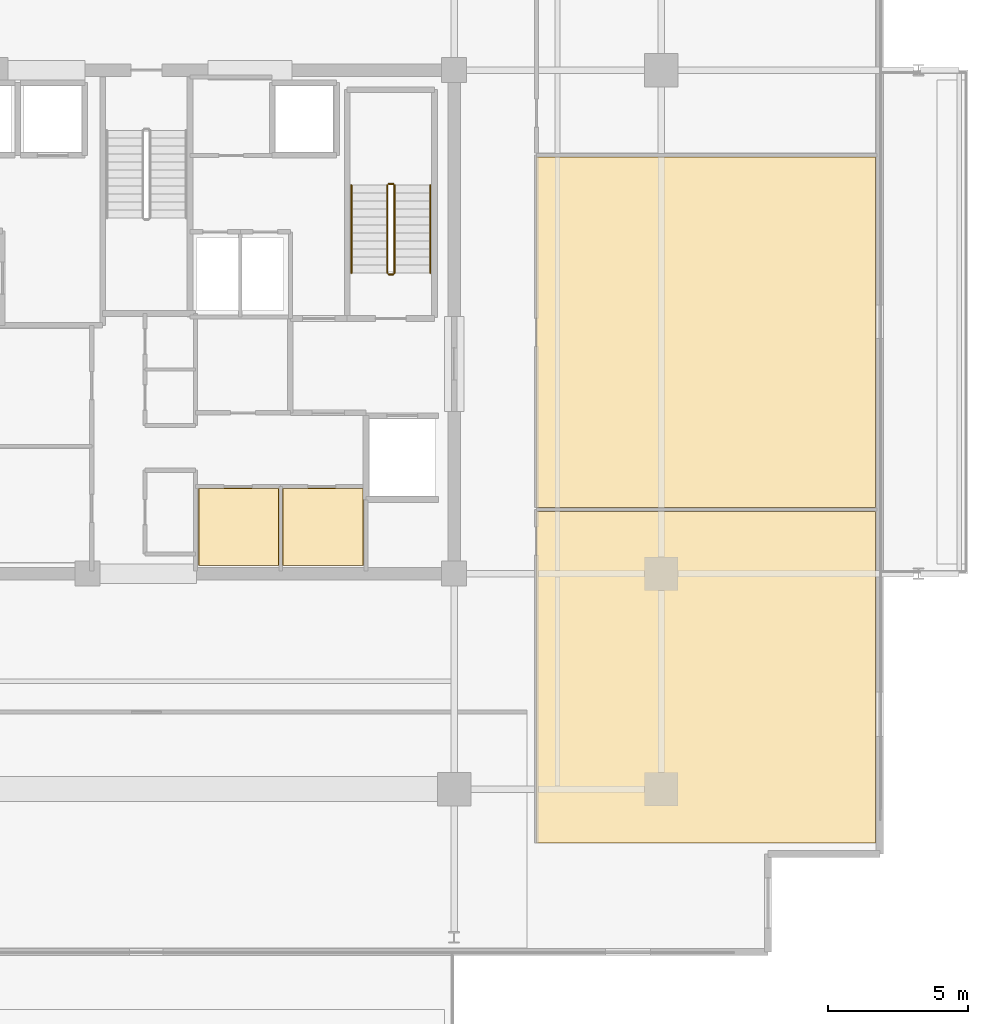
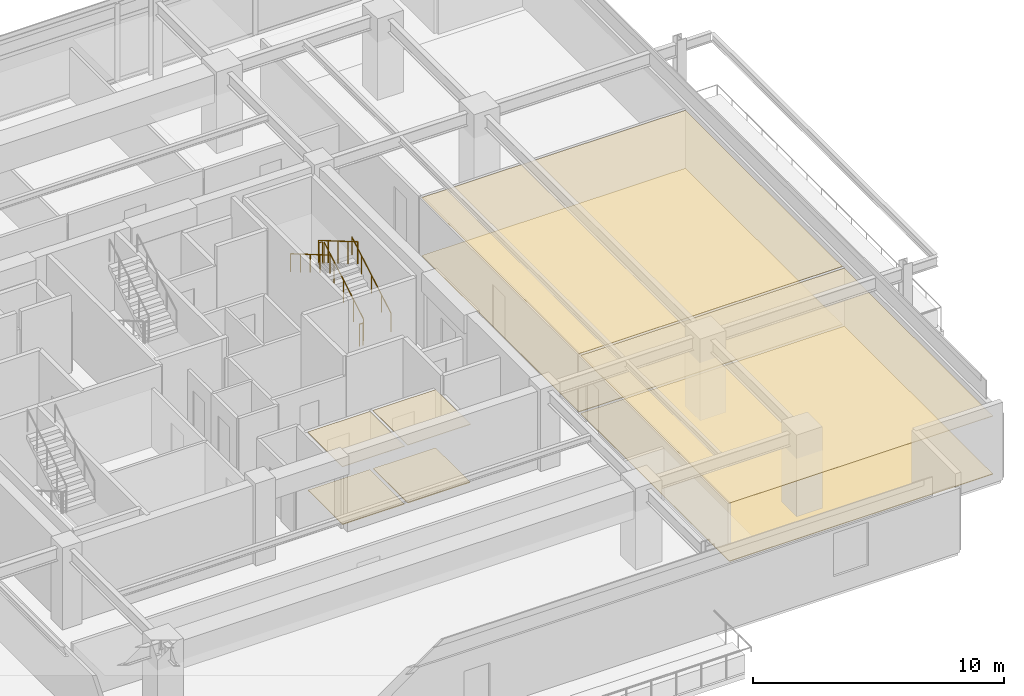
# One storey, part 22 of 23: 8 coverings, 6 railings.
"""IFC4 building model written with IfcOpenShell, lengths in metres."""

from ifc_helpers import new_model, si_unit, direction, frame, origin, origin_2d, place, context, subcontext, project, spatial, polyline, circle, outline, extrude, material, layer, layer_set, type_object, element, save


model = new_model("IFC4")

# Units and contexts
model_context = context("Model", 3, precision=1e-05, world=origin(), true_north=direction((0.0, 1.0)))
body_context = subcontext(model_context, "Body", "Model", "MODEL_VIEW")
ifc_project = project(units=[si_unit("LENGTHUNIT", "METRE"), si_unit("AREAUNIT", "SQUARE_METRE"), si_unit("VOLUMEUNIT", "CUBIC_METRE"), si_unit("PLANEANGLEUNIT", "RADIAN"), si_unit("MASSUNIT", "GRAM", prefix="KILO")], contexts=[model_context])

# Site, building, storey
site_placement = place(None, origin())
site = spatial("IfcSite", under=ifc_project, at=site_placement, CompositionType="ELEMENT")
building_placement = place(site_placement, origin())
building = spatial("IfcBuilding", under=site, at=building_placement, Name="Kovane Verandah Tower", CompositionType="ELEMENT")
storey_placement = place(building_placement, frame((0.0, 0.0, 267.199951171875)))
storey = spatial("IfcBuildingStorey", under=building, at=storey_placement, Name="L62", CompositionType="ELEMENT", Elevation=267.199951171875)

# Coverings
ifc_material_1 = material(Name="Perforated Acoustic Mineral-Fibre Ceiling Tile", Category="gypsum")
ifc_layer_1 = layer(ifc_material_1, 0.02490234375)
ifc_layer_set_1 = layer_set([ifc_layer_1], Name="Perforated Acoustic Mineral-Fibre Ceiling Tile")
covering_type_1 = type_object("IfcCoveringType", Name="CV-CEIL-25", PredefinedType="CEILING", material=ifc_layer_set_1)
covering_1_placement = place(storey_placement, frame((0.0, 0.0, 2.824951171875)))
element("IfcCovering", 1, at=covering_1_placement, inside=storey, type_object=covering_type_1, Name="L62 AV Control Room Acoustic Ceiling", PredefinedType="CEILING", context=body_context, shape_type="SweptSolid", body=[
    extrude(outline(polyline([(41.864990234375, 18.784912109375), (44.735107421875, 18.784912109375), (44.735107421875, 21.56494140625), (41.864990234375, 21.56494140625), (41.864990234375, 18.784912109375)])), origin(), (0.0, 0.0, 1.0), 0.025146484375),
])
covering_2_placement = place(storey_placement, frame((0.0, 0.0, 2.824951171875)))
element("IfcCovering", 2, at=covering_2_placement, inside=storey, type_object=covering_type_1, Name="L62 East IT Server Room Acoustic Ceiling", PredefinedType="CEILING", context=body_context, shape_type="SweptSolid", body=[
    extrude(outline(polyline([(44.864990234375, 18.784912109375), (47.764892578125, 18.784912109375), (47.764892578125, 21.56494140625), (44.864990234375, 21.56494140625), (44.864990234375, 18.784912109375)])), origin(), (0.0, 0.0, 1.0), 0.025146484375),
])
covering_3_placement = place(storey_placement, frame((0.0, 0.0, 2.824951171875)))
element("IfcCovering", 3, at=covering_3_placement, inside=storey, type_object=covering_type_1, Name="L62 Focus Studio E1 Acoustic Ceiling", PredefinedType="CEILING", context=body_context, shape_type="SweptSolid", body=[
    extrude(outline(polyline([(53.949951171875, 8.876708984375), (66.070556640625, 8.876708984375), (66.070556640625, 20.7255859375), (53.949951171875, 20.7255859375), (53.949951171875, 8.876708984375)])), origin(), (0.0, 0.0, 1.0), 0.025146484375),
])
covering_4_placement = place(storey_placement, frame((0.0, 0.0, 2.824951171875)))
element("IfcCovering", 4, at=covering_4_placement, inside=storey, type_object=covering_type_1, Name="L62 Breakout Pantry E2 Acoustic Ceiling", PredefinedType="CEILING", context=body_context, shape_type="SweptSolid", body=[
    extrude(outline(polyline([(53.949951171875, 20.865478515625), (66.070556640625, 20.865478515625), (66.070556640625, 33.389404296875), (53.949951171875, 33.389404296875), (53.949951171875, 20.865478515625)])), origin(), (0.0, 0.0, 1.0), 0.025146484375),
])
ifc_material_2 = material(Name="Polished Terrazzo and Raised-Access Carpet Tile Finish", Category="concrete")
ifc_layer_2 = layer(ifc_material_2, 0.030029296875)
ifc_layer_set_2 = layer_set([ifc_layer_2], Name="Polished Terrazzo and Raised-Access Carpet Tile Finish")
covering_type_2 = type_object("IfcCoveringType", Name="CV-FLOR-30", PredefinedType="FLOORING", material=ifc_layer_set_2)
covering_5_placement = place(storey_placement, origin())
element("IfcCovering", 5, at=covering_5_placement, inside=storey, type_object=covering_type_2, Name="L62 AV Control Room Floor Finish", PredefinedType="FLOORING", context=body_context, shape_type="SweptSolid", body=[
    extrude(outline(polyline([(41.8798828125, 18.800048828125), (44.719970703125, 18.800048828125), (44.719970703125, 21.550048828125), (41.8798828125, 21.550048828125), (41.8798828125, 18.800048828125)])), origin(), (0.0, 0.0, 1.0), 0.030029296875),
])
covering_6_placement = place(storey_placement, origin())
element("IfcCovering", 6, at=covering_6_placement, inside=storey, type_object=covering_type_2, Name="L62 East IT Server Room Floor Finish", PredefinedType="FLOORING", context=body_context, shape_type="SweptSolid", body=[
    extrude(outline(polyline([(44.8798828125, 18.800048828125), (47.75, 18.800048828125), (47.75, 21.550048828125), (44.8798828125, 21.550048828125), (44.8798828125, 18.800048828125)])), origin(), (0.0, 0.0, 1.0), 0.030029296875),
])
covering_7_placement = place(storey_placement, origin())
element("IfcCovering", 7, at=covering_7_placement, inside=storey, type_object=covering_type_2, Name="L62 Focus Studio E1 Floor Finish", PredefinedType="FLOORING", context=body_context, shape_type="SweptSolid", body=[
    extrude(outline(polyline([(53.949951171875, 8.876708984375), (66.070556640625, 8.876708984375), (66.070556640625, 20.7255859375), (53.949951171875, 20.7255859375), (53.949951171875, 8.876708984375)])), origin(), (0.0, 0.0, 1.0), 0.030029296875),
])
covering_8_placement = place(storey_placement, origin())
element("IfcCovering", 8, at=covering_8_placement, inside=storey, type_object=covering_type_2, Name="L62 Breakout Pantry E2 Floor Finish", PredefinedType="FLOORING", context=body_context, shape_type="SweptSolid", body=[
    extrude(outline(polyline([(53.949951171875, 20.865478515625), (66.070556640625, 20.865478515625), (66.070556640625, 33.389404296875), (53.949951171875, 33.389404296875), (53.949951171875, 20.865478515625)])), origin(), (0.0, 0.0, 1.0), 0.030029296875),
])

# Railings
ifc_material_3 = material(Name="Brushed Stainless Steel Handrail", Category="steel")
railing_type_1 = type_object("IfcRailingType", Name="RL-HAND-920", PredefinedType="HANDRAIL", material=ifc_material_3)
railing_1_placement = place(storey_placement, frame((50.14990234375, 29.25, 0.166748046875)))
element("IfcRailing", 9, at=railing_1_placement, inside=storey, type_object=railing_type_1, Name="L62 ST-02 stair handrail 1", PredefinedType="HANDRAIL", context=body_context, shape_type="SweptSolid", body=[
    extrude(circle(Radius=0.02392578125, at=origin_2d()), frame((0.0, 0.0, 0.8759765625), z_axis=(0.0, 0.863239559939, 0.504794475164), x_axis=(-1.0, 0.0, 0.0)), (0.0, 0.0, 1.0), 3.631591796875),
    extrude(circle(Radius=0.02099609375, at=origin_2d()), origin(), (0.0, 0.0, 1.0), 0.851806640625),
    extrude(circle(Radius=0.02099609375, at=origin_2d()), frame((0.0, 0.78369140625, 0.458251953125)), (0.0, 0.0, 1.0), 0.851806640625),
    extrude(circle(Radius=0.02099609375, at=origin_2d()), frame((0.0, 1.5673828125, 0.91650390625)), (0.0, 0.0, 1.0), 0.851806640625),
    extrude(circle(Radius=0.02099609375, at=origin_2d()), frame((0.0, 2.351318359375, 1.375)), (0.0, 0.0, 1.0), 0.851806640625),
    extrude(circle(Radius=0.02099609375, at=origin_2d()), frame((0.0, 3.135009765625, 1.833251953125)), (0.0, 0.0, 1.0), 0.851806640625),
])
railing_2_placement = place(storey_placement, frame((47.330078125, 32.385009765625, 2.166748046875)))
element("IfcRailing", 10, at=railing_2_placement, inside=storey, type_object=railing_type_1, Name="L62 ST-02 stair handrail 2", PredefinedType="HANDRAIL", context=body_context, shape_type="SweptSolid", body=[
    extrude(circle(Radius=0.02392578125, at=origin_2d()), frame((0.0, 0.0, 0.8759765625), z_axis=(0.0, -0.863239559939, 0.504794475164), x_axis=(1.0, 0.0, 0.0)), (0.0, 0.0, 1.0), 3.631591796875),
    extrude(circle(Radius=0.02099609375, at=origin_2d()), origin(), (0.0, 0.0, 1.0), 0.851806640625),
    extrude(circle(Radius=0.02099609375, at=origin_2d()), frame((0.0, -0.78369140625, 0.458251953125)), (0.0, 0.0, 1.0), 0.851806640625),
    extrude(circle(Radius=0.02099609375, at=origin_2d()), frame((0.0, -1.5673828125, 0.91650390625)), (0.0, 0.0, 1.0), 0.851806640625),
    extrude(circle(Radius=0.02099609375, at=origin_2d()), frame((0.0, -2.351318359375, 1.375)), (0.0, 0.0, 1.0), 0.851806640625),
    extrude(circle(Radius=0.02099609375, at=origin_2d()), frame((0.0, -3.135009765625, 1.833251953125)), (0.0, 0.0, 1.0), 0.851806640625),
])
ifc_material_4 = material(Name="Painted Steel Stairwell Guardrail", Category="steel")
railing_type_2 = type_object("IfcRailingType", Name="RL-STGUARD-1120", PredefinedType="GUARDRAIL", material=ifc_material_4)
railing_3_placement = place(storey_placement, frame((48.8701171875, 29.25, 0.166748046875)))
element("IfcRailing", 11, at=railing_3_placement, inside=storey, type_object=railing_type_2, Name="L62 ST-02 stair guard 1", PredefinedType="GUARDRAIL", context=body_context, shape_type="SweptSolid", body=[
    extrude(circle(Radius=0.02392578125, at=origin_2d()), frame((0.0, 0.0, 1.076171875), z_axis=(0.0, 0.863239559939, 0.504794475164), x_axis=(-1.0, 0.0, 0.0)), (0.0, 0.0, 1.0), 3.631591796875),
    extrude(circle(Radius=0.02099609375, at=origin_2d()), origin(), (0.0, 0.0, 1.0), 1.052001953125),
    extrude(circle(Radius=0.02099609375, at=origin_2d()), frame((0.0, 0.78369140625, 0.458251953125)), (0.0, 0.0, 1.0), 1.052001953125),
    extrude(circle(Radius=0.02099609375, at=origin_2d()), frame((0.0, 1.5673828125, 0.91650390625)), (0.0, 0.0, 1.0), 1.052001953125),
    extrude(circle(Radius=0.02099609375, at=origin_2d()), frame((0.0, 2.351318359375, 1.375)), (0.0, 0.0, 1.0), 1.052001953125),
    extrude(circle(Radius=0.02099609375, at=origin_2d()), frame((0.0, 3.135009765625, 1.833251953125)), (0.0, 0.0, 1.0), 1.052001953125),
])
railing_4_placement = place(storey_placement, frame((48.820068359375, 32.43505859375, 2.0)))
element("IfcRailing", 12, at=railing_4_placement, inside=storey, type_object=railing_type_2, Name="L62 ST-02 stair guard 2", PredefinedType="GUARDRAIL", context=body_context, shape_type="SweptSolid", body=[
    extrude(circle(Radius=0.02392578125, at=origin_2d()), frame((0.0, 0.0, 1.076171875), z_axis=(-1.0, 0.0, 0.0), x_axis=(0.0, -1.0, 0.0)), (0.0, 0.0, 1.0), 0.16015625),
    extrude(circle(Radius=0.02099609375, at=origin_2d()), origin(), (0.0, 0.0, 1.0), 1.052001953125),
    extrude(circle(Radius=0.02099609375, at=origin_2d()), frame((-0.16015625, 0.0, 0.0)), (0.0, 0.0, 1.0), 1.052001953125),
])
railing_5_placement = place(storey_placement, frame((48.610107421875, 32.385009765625, 2.166748046875)))
element("IfcRailing", 13, at=railing_5_placement, inside=storey, type_object=railing_type_2, Name="L62 ST-02 stair guard 3", PredefinedType="GUARDRAIL", context=body_context, shape_type="SweptSolid", body=[
    extrude(circle(Radius=0.02392578125, at=origin_2d()), frame((0.0, 0.0, 1.076171875), z_axis=(0.0, -0.863239559939, 0.504794475164), x_axis=(1.0, 0.0, 0.0)), (0.0, 0.0, 1.0), 3.631591796875),
    extrude(circle(Radius=0.02099609375, at=origin_2d()), origin(), (0.0, 0.0, 1.0), 1.052001953125),
    extrude(circle(Radius=0.02099609375, at=origin_2d()), frame((0.0, -0.78369140625, 0.458251953125)), (0.0, 0.0, 1.0), 1.052001953125),
    extrude(circle(Radius=0.02099609375, at=origin_2d()), frame((0.0, -1.5673828125, 0.91650390625)), (0.0, 0.0, 1.0), 1.052001953125),
    extrude(circle(Radius=0.02099609375, at=origin_2d()), frame((0.0, -2.351318359375, 1.375)), (0.0, 0.0, 1.0), 1.052001953125),
    extrude(circle(Radius=0.02099609375, at=origin_2d()), frame((0.0, -3.135009765625, 1.833251953125)), (0.0, 0.0, 1.0), 1.052001953125),
])
railing_6_placement = place(storey_placement, frame((48.820068359375, 29.199951171875, 0.0)))
element("IfcRailing", 14, at=railing_6_placement, inside=storey, type_object=railing_type_2, Name="L62 ST-02 stair guard 4", PredefinedType="GUARDRAIL", context=body_context, shape_type="SweptSolid", body=[
    extrude(circle(Radius=0.02392578125, at=origin_2d()), frame((0.0, 0.0, 1.076171875), z_axis=(-1.0, 0.0, 0.0), x_axis=(0.0, -1.0, 0.0)), (0.0, 0.0, 1.0), 0.16015625),
    extrude(circle(Radius=0.02099609375, at=origin_2d()), origin(), (0.0, 0.0, 1.0), 1.052001953125),
    extrude(circle(Radius=0.02099609375, at=origin_2d()), frame((-0.16015625, 0.0, 0.0)), (0.0, 0.0, 1.0), 1.052001953125),
])

save(model, "model.ifc")
